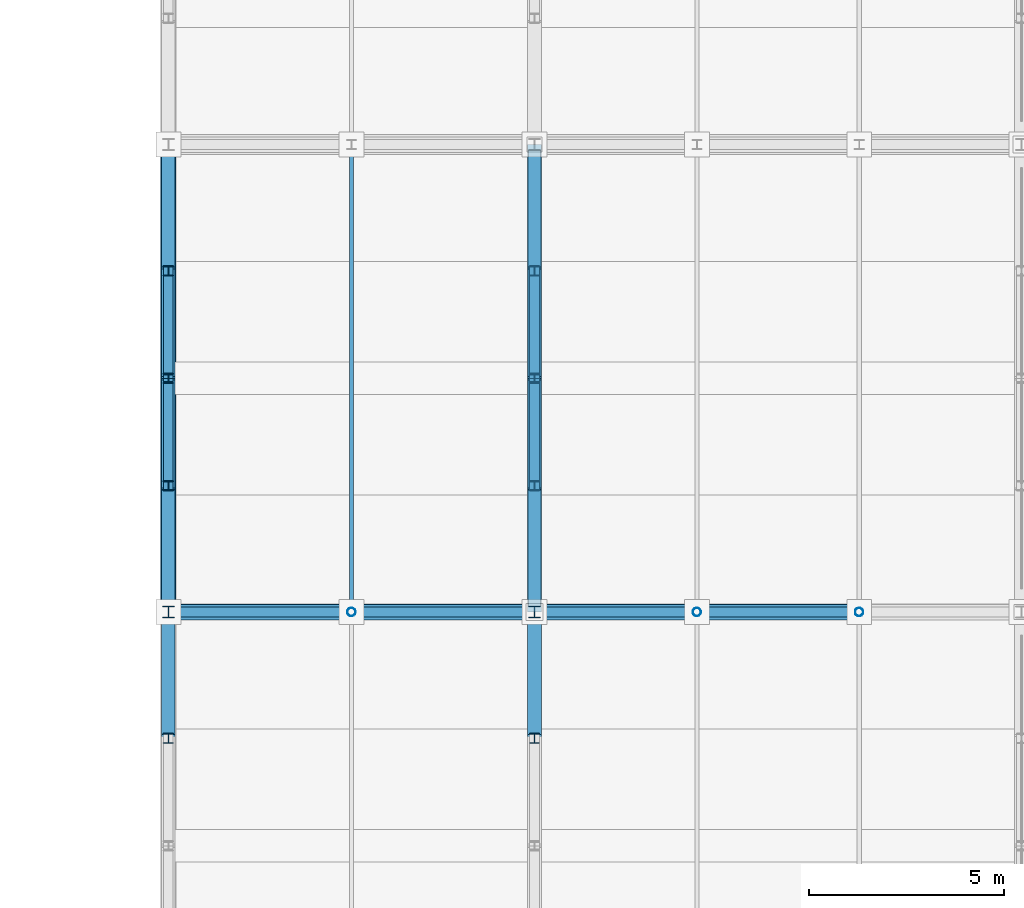
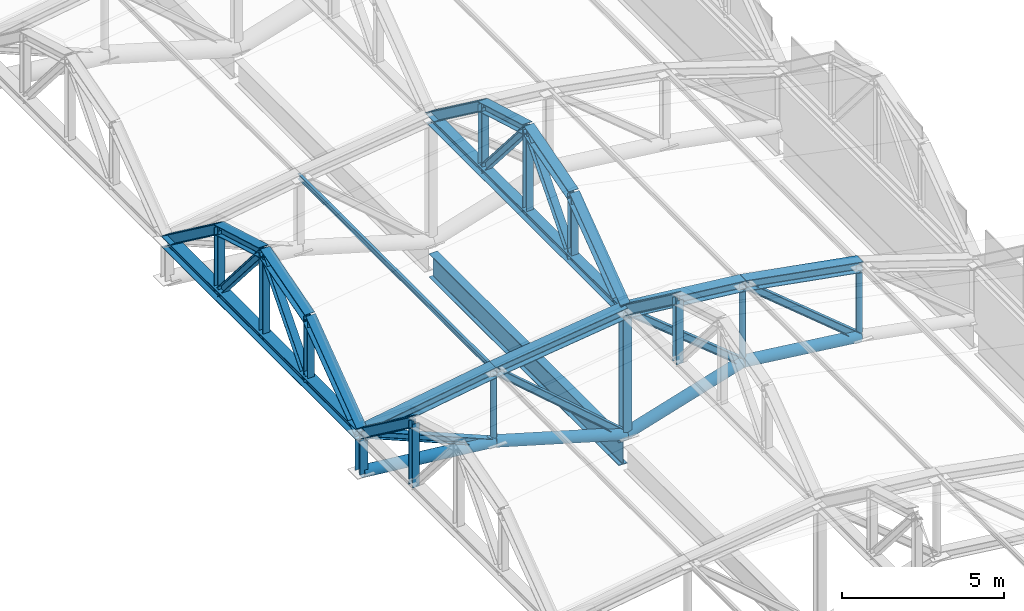
# One storey, part 66 of 117: 42 members, 1 beam.
"""IFC4 building model written with IfcOpenShell, lengths in metres."""

from ifc_helpers import new_model, si_unit, direction, frame, origin, origin_2d, place, context, subcontext, project, spatial, hollow_circle, i_section, extrude, material, material_profile, profile_set, type_object, element, save


model = new_model("IFC4")

# Units and contexts
model_context = context("Model", 3, precision=1e-05, world=origin(), true_north=direction((0.0, 1.0)))
body_context = subcontext(model_context, "Body", "Model", "MODEL_VIEW")
ifc_project = project(units=[si_unit("LENGTHUNIT", "METRE"), si_unit("AREAUNIT", "SQUARE_METRE"), si_unit("VOLUMEUNIT", "CUBIC_METRE"), si_unit("PLANEANGLEUNIT", "RADIAN"), si_unit("MASSUNIT", "GRAM", prefix="KILO")], contexts=[model_context])

# Site, building, storey
site_placement = place(None, origin())
site = spatial("IfcSite", under=ifc_project, at=site_placement, CompositionType="ELEMENT")
building_placement = place(site_placement, origin())
building = spatial("IfcBuilding", under=site, at=building_placement, Name="Kazenohara Klinker Stadium", CompositionType="ELEMENT")
storey_placement = place(building_placement, frame((0.0, 0.0, 31.199951171875)))
storey = spatial("IfcBuildingStorey", under=building, at=storey_placement, Name="RF", CompositionType="ELEMENT", Elevation=31.199951171875)

# Members
ifc_material = material(Name="Steel S355", Category="steel")
ifc_material_profile_1 = material_profile(ifc_material, i_section(OverallWidth=0.25, OverallDepth=0.25, WebThickness=0.009033203125, FlangeThickness=0.013916015625, FilletRadius=0.012939453125, at=origin_2d()), Name="H-250x250x9x14")
ifc_profile_set_1 = profile_set([ifc_material_profile_1], Name="Steel S355")
member_type_1 = type_object("IfcMemberType", Name="MEM-BRC02", PredefinedType="BRACE", material=ifc_profile_set_1)
member_1_placement = place(storey_placement, frame((183.333251953125, 96.0, 0.75), z_axis=(-0.770229945983, 0.0, 0.637766281887), x_axis=(0.0, -1.0, 0.0)))
element("IfcMember", 1, at=member_1_placement, inside=storey, type_object=member_type_1, Name="ROOF TRUSS RT-E05 web diagonal 2", PredefinedType="BRACE", context=body_context, shape_type="SweptSolid", body=[
    extrude(i_section(OverallWidth=0.25, OverallDepth=0.25, WebThickness=0.009033203125, FlangeThickness=0.013916015625, FilletRadius=0.012939453125, at=origin_2d()), origin(), (0.0, 0.0, 1.0), 5.409423828125),
])
member_2_placement = place(storey_placement, frame((179.166748046875, 96.0, 1.25), z_axis=(-0.774777826172, 0.0, 0.632233596127), x_axis=(0.0, -1.0, 0.0)))
element("IfcMember", 2, at=member_2_placement, inside=storey, type_object=member_type_1, Name="ROOF TRUSS RT-E05 web diagonal 3", PredefinedType="BRACE", context=body_context, shape_type="SweptSolid", body=[
    extrude(i_section(OverallWidth=0.25, OverallDepth=0.25, WebThickness=0.009033203125, FlangeThickness=0.013916015625, FilletRadius=0.012939453125, at=origin_2d()), origin(), (0.0, 0.0, 1.0), 5.3779296875),
])
member_3_placement = place(storey_placement, frame((175.0, 96.0, -0.02001953125), z_axis=(-0.755945561544, 0.0, 0.65463448426), x_axis=(0.0, -1.0, 0.0)))
element("IfcMember", 3, at=member_3_placement, inside=storey, type_object=member_type_1, Name="ROOF TRUSS RT-E05 web diagonal 4", PredefinedType="BRACE", context=body_context, shape_type="SweptSolid", body=[
    extrude(i_section(OverallWidth=0.25, OverallDepth=0.25, WebThickness=0.009033203125, FlangeThickness=0.013916015625, FilletRadius=0.012939453125, at=origin_2d()), origin(), (0.0, 0.0, 1.0), 6.21728515625),
])
member_4_placement = place(storey_placement, frame((170.300048828125, 96.0, 1.35009765625), z_axis=(-0.923659284192, 0.0, 0.383214726655), x_axis=(0.0, -1.0, 0.0)))
element("IfcMember", 4, at=member_4_placement, inside=storey, type_object=member_type_1, Name="ROOF TRUSS RT-E05 web diagonal 5", PredefinedType="BRACE", context=body_context, shape_type="SweptSolid", body=[
    extrude(i_section(OverallWidth=0.25, OverallDepth=0.25, WebThickness=0.009033203125, FlangeThickness=0.013916015625, FilletRadius=0.012939453125, at=origin_2d()), origin(), (0.0, 0.0, 1.0), 5.08837890625),
])
ifc_material_profile_2 = material_profile(ifc_material, i_section(OverallWidth=0.39990234375, OverallDepth=0.39990234375, WebThickness=0.012939453125, FlangeThickness=0.02099609375, FilletRadius=0.02197265625, at=origin_2d()), Name="H-400x400x13x21")
ifc_profile_set_2 = profile_set([ifc_material_profile_2], Name="Steel S355")
member_type_2 = type_object("IfcMemberType", Name="MEM-CHD01", PredefinedType="CHORD", material=ifc_profile_set_2)
member_5_placement = place(storey_placement, frame((183.333251953125, 96.0, 3.449951171875), z_axis=(-0.984182117389, 0.0, 0.177159701431), x_axis=(0.0, -1.0, 0.0)))
element("IfcMember", 5, at=member_5_placement, inside=storey, type_object=member_type_2, Name="ROOF TRUSS RT-E05 top arched chord 2", PredefinedType="CHORD", context=body_context, shape_type="SweptSolid", body=[
    extrude(i_section(OverallWidth=0.39990234375, OverallDepth=0.39990234375, WebThickness=0.012939453125, FlangeThickness=0.02099609375, FilletRadius=0.02197265625, at=origin_2d()), origin(), (0.0, 0.0, 1.0), 4.2333984375),
])
member_6_placement = place(storey_placement, frame((179.166748046875, 96.0, 4.199951171875), z_axis=(-0.994213775272, 0.0, 0.107419593461), x_axis=(0.0, -1.0, 0.0)))
element("IfcMember", 6, at=member_6_placement, inside=storey, type_object=member_type_2, Name="ROOF TRUSS RT-E05 top arched chord 3", PredefinedType="CHORD", context=body_context, shape_type="SweptSolid", body=[
    extrude(i_section(OverallWidth=0.39990234375, OverallDepth=0.39990234375, WebThickness=0.012939453125, FlangeThickness=0.02099609375, FilletRadius=0.02197265625, at=origin_2d()), origin(), (0.0, 0.0, 1.0), 4.19091796875),
])
member_7_placement = place(storey_placement, frame((175.0, 96.0, 4.650146484375), z_axis=(-0.99194702514, 0.0, -0.126653461524), x_axis=(0.0, -1.0, 0.0)))
element("IfcMember", 7, at=member_7_placement, inside=storey, type_object=member_type_2, Name="ROOF TRUSS RT-E05 top arched chord 4", PredefinedType="CHORD", context=body_context, shape_type="SweptSolid", body=[
    extrude(i_section(OverallWidth=0.39990234375, OverallDepth=0.39990234375, WebThickness=0.012939453125, FlangeThickness=0.02099609375, FilletRadius=0.02197265625, at=origin_2d()), origin(), (0.0, 0.0, 1.0), 4.738037109375),
])
member_8_placement = place(storey_placement, frame((170.300048828125, 96.0, 4.050048828125), z_axis=(-0.987505848374, 0.0, -0.157582357602), x_axis=(0.0, -1.0, 0.0)))
element("IfcMember", 8, at=member_8_placement, inside=storey, type_object=member_type_2, Name="ROOF TRUSS RT-E05 top arched chord 5", PredefinedType="CHORD", context=body_context, shape_type="SweptSolid", body=[
    extrude(i_section(OverallWidth=0.39990234375, OverallDepth=0.39990234375, WebThickness=0.012939453125, FlangeThickness=0.02099609375, FilletRadius=0.02197265625, at=origin_2d()), origin(), (0.0, 0.0, 1.0), 4.759521484375),
])
member_9_placement = place(storey_placement, frame((165.60009765625, 108.0, 3.300048828125), z_axis=(0.0, -1.0, 0.0), x_axis=(1.0, 0.0, 0.0)))
element("IfcMember", 9, at=member_9_placement, inside=storey, type_object=member_type_2, Name="Inner tension ring chord TC01 segment 19", PredefinedType="CHORD", context=body_context, shape_type="SweptSolid", body=[
    extrude(i_section(OverallWidth=0.39990234375, OverallDepth=0.39990234375, WebThickness=0.012939453125, FlangeThickness=0.02099609375, FilletRadius=0.02197265625, at=origin_2d()), origin(), (0.0, 0.0, 1.0), 12.0),
])
ifc_material_profile_3 = material_profile(ifc_material, i_section(OverallWidth=0.35009765625, OverallDepth=0.35009765625, WebThickness=0.011962890625, FlangeThickness=0.01904296875, FilletRadius=0.012939453125, at=origin_2d()), Name="H-350x350x12x19")
ifc_profile_set_3 = profile_set([ifc_material_profile_3], Name="Steel S355")
member_type_3 = type_object("IfcMemberType", Name="MEM-CHD02", PredefinedType="CHORD", material=ifc_profile_set_3)
for number, where, z_axis, x_axis, name in (
    (10, (175.0, 92.760009765625, 7.050048828125), (0.0, 0.803567919639, -0.595213069856), (-1.0, 0.0, 0.0), "Barrel arch top rib TC02 E-04-N3-S4"),
    (11, (165.60009765625, 92.760009765625, 5.699951171875), (0.0, 0.803567919639, -0.595213069856), (-1.0, 0.0, 0.0), "Barrel arch top rib TC02 E-04-N5-S4"),
):
    element("IfcMember", number, at=place(storey_placement, frame(where, z_axis=z_axis, x_axis=x_axis)), inside=storey, type_object=member_type_3, Name=name, PredefinedType="CHORD", context=body_context, shape_type="SweptSolid", body=[
        extrude(i_section(OverallWidth=0.35009765625, OverallDepth=0.35009765625, WebThickness=0.011962890625, FlangeThickness=0.01904296875, FilletRadius=0.012939453125, at=origin_2d()), origin(), (0.0, 0.0, 1.0), 4.031982421875),
    ])
member_10_placement = place(storey_placement, frame((175.0, 96.0, 4.650146484375), z_axis=(0.0, 1.0, 0.0), x_axis=(-1.0, 0.0, 0.0)))
element("IfcMember", 12, at=member_10_placement, inside=storey, type_object=member_type_3, Name="Barrel arch tie chord TC02 E-05-N3", PredefinedType="CHORD", context=body_context, shape_type="SweptSolid", body=[
    extrude(i_section(OverallWidth=0.35009765625, OverallDepth=0.35009765625, WebThickness=0.011962890625, FlangeThickness=0.01904296875, FilletRadius=0.012939453125, at=origin_2d()), origin(), (0.0, 0.0, 1.0), 12.0),
])
member_11_placement = place(storey_placement, frame((175.0, 96.0, 4.650146484375), z_axis=(0.0, 0.803567919639, 0.595213069856), x_axis=(-1.0, 0.0, 0.0)))
element("IfcMember", 13, at=member_11_placement, inside=storey, type_object=member_type_3, Name="Barrel arch top rib TC02 E-05-N3-S1", PredefinedType="CHORD", context=body_context, shape_type="SweptSolid", body=[
    extrude(i_section(OverallWidth=0.35009765625, OverallDepth=0.35009765625, WebThickness=0.011962890625, FlangeThickness=0.01904296875, FilletRadius=0.012939453125, at=origin_2d()), origin(), (0.0, 0.0, 1.0), 4.031982421875),
])
for number, where, z_axis, x_axis, name in (
    (14, (175.0, 99.239990234375, 7.050048828125), (0.0, 0.960462085918, 0.27841081429), (-1.0, 0.0, 0.0), "Barrel arch top rib TC02 E-05-N3-S2"),
    (15, (175.0, 102.0, 7.85009765625), (0.0, 0.960462085918, -0.27841081429), (-1.0, 0.0, 0.0), "Barrel arch top rib TC02 E-05-N3-S3"),
):
    element("IfcMember", number, at=place(storey_placement, frame(where, z_axis=z_axis, x_axis=x_axis)), inside=storey, type_object=member_type_3, Name=name, PredefinedType="CHORD", context=body_context, shape_type="SweptSolid", body=[
        extrude(i_section(OverallWidth=0.35009765625, OverallDepth=0.35009765625, WebThickness=0.011962890625, FlangeThickness=0.01904296875, FilletRadius=0.012939453125, at=origin_2d()), origin(), (0.0, 0.0, 1.0), 2.87353515625),
    ])
for number, where, z_axis, x_axis, name in (
    (16, (175.0, 104.760009765625, 7.050048828125), (0.0, 0.803567919639, -0.595213069856), (-1.0, 0.0, 0.0), "Barrel arch top rib TC02 E-05-N3-S4"),
    (17, (165.60009765625, 96.0, 3.300048828125), (0.0, 0.803567919639, 0.595213069856), (-1.0, 0.0, 0.0), "Barrel arch top rib TC02 E-05-N5-S1"),
):
    element("IfcMember", number, at=place(storey_placement, frame(where, z_axis=z_axis, x_axis=x_axis)), inside=storey, type_object=member_type_3, Name=name, PredefinedType="CHORD", context=body_context, shape_type="SweptSolid", body=[
        extrude(i_section(OverallWidth=0.35009765625, OverallDepth=0.35009765625, WebThickness=0.011962890625, FlangeThickness=0.01904296875, FilletRadius=0.012939453125, at=origin_2d()), origin(), (0.0, 0.0, 1.0), 4.031982421875),
    ])
for number, where, z_axis, x_axis, name in (
    (18, (165.60009765625, 99.239990234375, 5.699951171875), (0.0, 0.960462085918, 0.27841081429), (-1.0, 0.0, 0.0), "Barrel arch top rib TC02 E-05-N5-S2"),
    (19, (165.60009765625, 102.0, 6.5), (0.0, 0.960462085918, -0.27841081429), (-1.0, 0.0, 0.0), "Barrel arch top rib TC02 E-05-N5-S3"),
):
    element("IfcMember", number, at=place(storey_placement, frame(where, z_axis=z_axis, x_axis=x_axis)), inside=storey, type_object=member_type_3, Name=name, PredefinedType="CHORD", context=body_context, shape_type="SweptSolid", body=[
        extrude(i_section(OverallWidth=0.35009765625, OverallDepth=0.35009765625, WebThickness=0.011962890625, FlangeThickness=0.01904296875, FilletRadius=0.012939453125, at=origin_2d()), origin(), (0.0, 0.0, 1.0), 2.87353515625),
    ])
member_12_placement = place(storey_placement, frame((165.60009765625, 104.760009765625, 5.699951171875), z_axis=(0.0, 0.803567919639, -0.595213069856), x_axis=(-1.0, 0.0, 0.0)))
element("IfcMember", 20, at=member_12_placement, inside=storey, type_object=member_type_3, Name="Barrel arch top rib TC02 E-05-N5-S4", PredefinedType="CHORD", context=body_context, shape_type="SweptSolid", body=[
    extrude(i_section(OverallWidth=0.35009765625, OverallDepth=0.35009765625, WebThickness=0.011962890625, FlangeThickness=0.01904296875, FilletRadius=0.012939453125, at=origin_2d()), origin(), (0.0, 0.0, 1.0), 4.031982421875),
])
ifc_material_profile_4 = material_profile(ifc_material, hollow_circle(Radius=0.203125, WallThickness=0.011962890625, at=origin_2d()), Name="CHS-406.4x12")
ifc_profile_set_4 = profile_set([ifc_material_profile_4], Name="Steel S355")
member_type_4 = type_object("IfcMemberType", Name="MEM-CHD03", PredefinedType="CHORD", material=ifc_profile_set_4)
member_13_placement = place(storey_placement, frame((183.333251953125, 96.0, 0.75), z_axis=(-0.99287628789, 0.0, 0.119149808836), x_axis=(0.0, -1.0, 0.0)))
element("IfcMember", 21, at=member_13_placement, inside=storey, type_object=member_type_4, Name="ROOF TRUSS RT-E05 bottom arched chord 2", PredefinedType="CHORD", context=body_context, shape_type="SweptSolid", body=[
    extrude(hollow_circle(Radius=0.203125, WallThickness=0.011962890625, at=origin_2d()), origin(), (0.0, 0.0, 1.0), 4.1962890625),
])
member_14_placement = place(storey_placement, frame((179.166748046875, 96.0, 1.25), z_axis=(-0.956553656775, 0.0, -0.291556343971), x_axis=(0.0, -1.0, 0.0)))
element("IfcMember", 22, at=member_14_placement, inside=storey, type_object=member_type_4, Name="ROOF TRUSS RT-E05 bottom arched chord 3", PredefinedType="CHORD", context=body_context, shape_type="SweptSolid", body=[
    extrude(hollow_circle(Radius=0.203125, WallThickness=0.011962890625, at=origin_2d()), origin(), (0.0, 0.0, 1.0), 4.35595703125),
])
member_15_placement = place(storey_placement, frame((175.0, 96.0, -0.02001953125), z_axis=(-0.960038530088, 0.0, 0.279867863012), x_axis=(0.0, -1.0, 0.0)))
element("IfcMember", 23, at=member_15_placement, inside=storey, type_object=member_type_4, Name="ROOF TRUSS RT-E05 bottom arched chord 4", PredefinedType="CHORD", context=body_context, shape_type="SweptSolid", body=[
    extrude(hollow_circle(Radius=0.203125, WallThickness=0.011962890625, at=origin_2d()), origin(), (0.0, 0.0, 1.0), 4.8955078125),
])
member_16_placement = place(storey_placement, frame((170.300048828125, 96.0, 1.35009765625), z_axis=(-0.99438879757, 0.0, 0.105787141313), x_axis=(0.0, -1.0, 0.0)))
element("IfcMember", 24, at=member_16_placement, inside=storey, type_object=member_type_4, Name="ROOF TRUSS RT-E05 bottom arched chord 5", PredefinedType="CHORD", context=body_context, shape_type="SweptSolid", body=[
    extrude(hollow_circle(Radius=0.203125, WallThickness=0.011962890625, at=origin_2d()), origin(), (0.0, 0.0, 1.0), 4.7265625),
])
ifc_material_profile_5 = material_profile(ifc_material, i_section(OverallWidth=0.10009765625, OverallDepth=0.199951171875, WebThickness=0.005615234375, FlangeThickness=0.008056640625, FilletRadius=0.008056640625, at=origin_2d()), Name="H-200x100x5.5x8")
ifc_profile_set_5 = profile_set([ifc_material_profile_5], Name="Steel S355")
member_type_5 = type_object("IfcMemberType", Name="MEM-PUR02", PredefinedType="PURLIN", material=ifc_profile_set_5)
member_17_placement = place(storey_placement, frame((170.300048828125, 96.0, 4.070068359375), z_axis=(0.0, 1.0, 0.0), x_axis=(-1.0, 0.0, 0.0)))
element("IfcMember", 25, at=member_17_placement, inside=storey, type_object=member_type_5, Name="Canopy valley tie purlin PR02 E-05-N4", PredefinedType="PURLIN", context=body_context, shape_type="SweptSolid", body=[
    extrude(i_section(OverallWidth=0.10009765625, OverallDepth=0.199951171875, WebThickness=0.005615234375, FlangeThickness=0.008056640625, FilletRadius=0.008056640625, at=origin_2d()), origin(), (0.0, 0.0, 1.0), 12.0),
])
ifc_material_profile_6 = material_profile(ifc_material, i_section(OverallWidth=0.300048828125, OverallDepth=0.300048828125, WebThickness=0.010009765625, FlangeThickness=0.014892578125, FilletRadius=0.012939453125, at=origin_2d()), Name="H-300x300x10x15")
ifc_profile_set_6 = profile_set([ifc_material_profile_6], Name="Steel S355")
member_type_6 = type_object("IfcMemberType", Name="MEM-STR01", PredefinedType="STRUT", material=ifc_profile_set_6)
member_18_placement = place(storey_placement, frame((175.0, 96.0, -0.02001953125), z_axis=(0.0, 0.0, 1.0), x_axis=(1.0, 0.0, 0.0)))
element("IfcMember", 26, at=member_18_placement, inside=storey, type_object=member_type_6, Name="ROOF TRUSS RT-E05 web post 4", PredefinedType="STRUT", context=body_context, shape_type="SweptSolid", body=[
    extrude(i_section(OverallWidth=0.300048828125, OverallDepth=0.300048828125, WebThickness=0.010009765625, FlangeThickness=0.014892578125, FilletRadius=0.012939453125, at=origin_2d()), origin(), (0.0, 0.0, 1.0), 4.670166015625),
])
member_19_placement = place(storey_placement, frame((165.60009765625, 96.0, 1.85009765625), z_axis=(0.0, 0.0, 1.0), x_axis=(1.0, 0.0, 0.0)))
element("IfcMember", 27, at=member_19_placement, inside=storey, type_object=member_type_6, Name="ROOF TRUSS RT-E05 web post 6", PredefinedType="STRUT", context=body_context, shape_type="SweptSolid", body=[
    extrude(i_section(OverallWidth=0.300048828125, OverallDepth=0.300048828125, WebThickness=0.010009765625, FlangeThickness=0.014892578125, FilletRadius=0.012939453125, at=origin_2d()), origin(), (0.0, 0.0, 1.0), 1.449951171875),
])
ifc_material_profile_7 = material_profile(ifc_material, i_section(OverallWidth=0.25, OverallDepth=0.25, WebThickness=0.009033203125, FlangeThickness=0.013916015625, FilletRadius=0.012939453125, at=origin_2d()), Name="H-250x250x9x14")
ifc_profile_set_7 = profile_set([ifc_material_profile_7], Name="Steel S355")
member_type_7 = type_object("IfcMemberType", Name="MEM-STR02", PredefinedType="STRUT", material=ifc_profile_set_7)
for number, where, z_axis, x_axis, name in (
    (28, (175.0, 92.760009765625, 4.650146484375), (0.0, 0.0, 1.0), (1.0, 0.0, 0.0), "Barrel arch web post TS02 E-04-N3-P3"),
    (29, (165.60009765625, 92.760009765625, 3.300048828125), (0.0, 0.0, 1.0), (1.0, 0.0, 0.0), "Barrel arch web post TS02 E-04-N5-P3"),
    (30, (175.0, 99.239990234375, 4.650146484375), (0.0, 0.0, 1.0), (1.0, 0.0, 0.0), "Barrel arch web post TS02 E-05-N3-P1"),
):
    element("IfcMember", number, at=place(storey_placement, frame(where, z_axis=z_axis, x_axis=x_axis)), inside=storey, type_object=member_type_7, Name=name, PredefinedType="STRUT", context=body_context, shape_type="SweptSolid", body=[
        extrude(i_section(OverallWidth=0.25, OverallDepth=0.25, WebThickness=0.009033203125, FlangeThickness=0.013916015625, FilletRadius=0.012939453125, at=origin_2d()), origin(), (0.0, 0.0, 1.0), 2.39990234375),
    ])
member_20_placement = place(storey_placement, frame((175.0, 102.0, 4.650146484375), z_axis=(0.0, 0.0, 1.0), x_axis=(1.0, 0.0, 0.0)))
element("IfcMember", 31, at=member_20_placement, inside=storey, type_object=member_type_7, Name="Barrel arch web post TS02 E-05-N3-P2", PredefinedType="STRUT", context=body_context, shape_type="SweptSolid", body=[
    extrude(i_section(OverallWidth=0.25, OverallDepth=0.25, WebThickness=0.009033203125, FlangeThickness=0.013916015625, FilletRadius=0.012939453125, at=origin_2d()), origin(), (0.0, 0.0, 1.0), 3.199951171875),
])
member_21_placement = place(storey_placement, frame((175.0, 104.760009765625, 4.650146484375), z_axis=(0.0, 0.0, 1.0), x_axis=(1.0, 0.0, 0.0)))
element("IfcMember", 32, at=member_21_placement, inside=storey, type_object=member_type_7, Name="Barrel arch web post TS02 E-05-N3-P3", PredefinedType="STRUT", context=body_context, shape_type="SweptSolid", body=[
    extrude(i_section(OverallWidth=0.25, OverallDepth=0.25, WebThickness=0.009033203125, FlangeThickness=0.013916015625, FilletRadius=0.012939453125, at=origin_2d()), origin(), (0.0, 0.0, 1.0), 2.39990234375),
])
for number, where, z_axis, x_axis, name in (
    (33, (175.0, 99.239990234375, 4.650146484375), (0.0, 0.653133887971, 0.757242447558), (-1.0, 0.0, 0.0), "Barrel arch web diagonal TS02 E-05-N3-D1"),
    (34, (175.0, 104.760009765625, 4.650146484375), (0.0, -0.653133887971, 0.757242447558), (1.0, 0.0, 0.0), "Barrel arch web diagonal TS02 E-05-N3-D2"),
):
    element("IfcMember", number, at=place(storey_placement, frame(where, z_axis=z_axis, x_axis=x_axis)), inside=storey, type_object=member_type_7, Name=name, PredefinedType="STRUT", context=body_context, shape_type="SweptSolid", body=[
        extrude(i_section(OverallWidth=0.25, OverallDepth=0.25, WebThickness=0.009033203125, FlangeThickness=0.013916015625, FilletRadius=0.012939453125, at=origin_2d()), origin(), (0.0, 0.0, 1.0), 4.225830078125),
    ])
member_22_placement = place(storey_placement, frame((165.60009765625, 99.239990234375, 3.300048828125), z_axis=(0.0, 0.0, 1.0), x_axis=(1.0, 0.0, 0.0)))
element("IfcMember", 35, at=member_22_placement, inside=storey, type_object=member_type_7, Name="Barrel arch web post TS02 E-05-N5-P1", PredefinedType="STRUT", context=body_context, shape_type="SweptSolid", body=[
    extrude(i_section(OverallWidth=0.25, OverallDepth=0.25, WebThickness=0.009033203125, FlangeThickness=0.013916015625, FilletRadius=0.012939453125, at=origin_2d()), origin(), (0.0, 0.0, 1.0), 2.39990234375),
])
member_23_placement = place(storey_placement, frame((165.60009765625, 102.0, 3.300048828125), z_axis=(0.0, 0.0, 1.0), x_axis=(1.0, 0.0, 0.0)))
element("IfcMember", 36, at=member_23_placement, inside=storey, type_object=member_type_7, Name="Barrel arch web post TS02 E-05-N5-P2", PredefinedType="STRUT", context=body_context, shape_type="SweptSolid", body=[
    extrude(i_section(OverallWidth=0.25, OverallDepth=0.25, WebThickness=0.009033203125, FlangeThickness=0.013916015625, FilletRadius=0.012939453125, at=origin_2d()), origin(), (0.0, 0.0, 1.0), 3.199951171875),
])
member_24_placement = place(storey_placement, frame((165.60009765625, 104.760009765625, 3.300048828125), z_axis=(0.0, 0.0, 1.0), x_axis=(1.0, 0.0, 0.0)))
element("IfcMember", 37, at=member_24_placement, inside=storey, type_object=member_type_7, Name="Barrel arch web post TS02 E-05-N5-P3", PredefinedType="STRUT", context=body_context, shape_type="SweptSolid", body=[
    extrude(i_section(OverallWidth=0.25, OverallDepth=0.25, WebThickness=0.009033203125, FlangeThickness=0.013916015625, FilletRadius=0.012939453125, at=origin_2d()), origin(), (0.0, 0.0, 1.0), 2.39990234375),
])
for number, where, z_axis, x_axis, name in (
    (38, (165.60009765625, 99.239990234375, 3.300048828125), (0.0, 0.653133887971, 0.757242447558), (-1.0, 0.0, 0.0), "Barrel arch web diagonal TS02 E-05-N5-D1"),
    (39, (165.60009765625, 104.760009765625, 3.300048828125), (0.0, -0.653133887971, 0.757242447558), (1.0, 0.0, 0.0), "Barrel arch web diagonal TS02 E-05-N5-D2"),
):
    element("IfcMember", number, at=place(storey_placement, frame(where, z_axis=z_axis, x_axis=x_axis)), inside=storey, type_object=member_type_7, Name=name, PredefinedType="STRUT", context=body_context, shape_type="SweptSolid", body=[
        extrude(i_section(OverallWidth=0.25, OverallDepth=0.25, WebThickness=0.009033203125, FlangeThickness=0.013916015625, FilletRadius=0.012939453125, at=origin_2d()), origin(), (0.0, 0.0, 1.0), 4.225830078125),
    ])
ifc_material_profile_8 = material_profile(ifc_material, hollow_circle(Radius=0.108154296875, WallThickness=0.008056640625, at=origin_2d()), Name="CHS-216.3x8")
ifc_profile_set_8 = profile_set([ifc_material_profile_8], Name="Steel S355")
member_type_8 = type_object("IfcMemberType", Name="MEM-STR04", PredefinedType="STRUT", material=ifc_profile_set_8)
member_25_placement = place(storey_placement, frame((183.333251953125, 96.0, 0.75), z_axis=(0.0, 0.0, 1.0), x_axis=(1.0, 0.0, 0.0)))
element("IfcMember", 40, at=member_25_placement, inside=storey, type_object=member_type_8, Name="ROOF TRUSS RT-E05 web post 2", PredefinedType="STRUT", context=body_context, shape_type="SweptSolid", body=[
    extrude(hollow_circle(Radius=0.108154296875, WallThickness=0.008056640625, at=origin_2d()), origin(), (0.0, 0.0, 1.0), 2.699951171875),
])
member_26_placement = place(storey_placement, frame((179.166748046875, 96.0, 1.25), z_axis=(0.0, 0.0, 1.0), x_axis=(1.0, 0.0, 0.0)))
element("IfcMember", 41, at=member_26_placement, inside=storey, type_object=member_type_8, Name="ROOF TRUSS RT-E05 web post 3", PredefinedType="STRUT", context=body_context, shape_type="SweptSolid", body=[
    extrude(hollow_circle(Radius=0.108154296875, WallThickness=0.008056640625, at=origin_2d()), origin(), (0.0, 0.0, 1.0), 2.949951171875),
])
member_27_placement = place(storey_placement, frame((170.300048828125, 96.0, 1.35009765625), z_axis=(0.0, 0.0, 1.0), x_axis=(1.0, 0.0, 0.0)))
element("IfcMember", 42, at=member_27_placement, inside=storey, type_object=member_type_8, Name="ROOF TRUSS RT-E05 web post 5", PredefinedType="STRUT", context=body_context, shape_type="SweptSolid", body=[
    extrude(hollow_circle(Radius=0.108154296875, WallThickness=0.008056640625, at=origin_2d()), origin(), (0.0, 0.0, 1.0), 2.699951171875),
])

# Beam
ifc_material_profile_9 = material_profile(ifc_material, i_section(OverallWidth=0.300048828125, OverallDepth=0.89990234375, WebThickness=0.01611328125, FlangeThickness=0.028076171875, FilletRadius=0.02197265625, at=origin_2d()), Name="H-900x300x16x28")
ifc_profile_set_9 = profile_set([ifc_material_profile_9], Name="Steel S355")
beam_type = type_object("IfcBeamType", Name="RING-RB01", PredefinedType="USERDEFINED", material=ifc_profile_set_9)
beam_placement = place(storey_placement, frame((175.0, 96.139892578125, -0.820068359375), z_axis=(0.0, 1.0, 0.0), x_axis=(-1.0, 0.0, 0.0)))
element("IfcBeam", 43, at=beam_placement, inside=storey, type_object=beam_type, Name="Roof ring beam RB01 E-IN J-K", ObjectType="RING BEAM", PredefinedType="USERDEFINED", context=body_context, shape_type="SweptSolid", body=[
    extrude(i_section(OverallWidth=0.300048828125, OverallDepth=0.89990234375, WebThickness=0.01611328125, FlangeThickness=0.028076171875, FilletRadius=0.02197265625, at=origin_2d()), origin(), (0.0, 0.0, 1.0), 11.72021484375),
])

save(model, "model.ifc")
